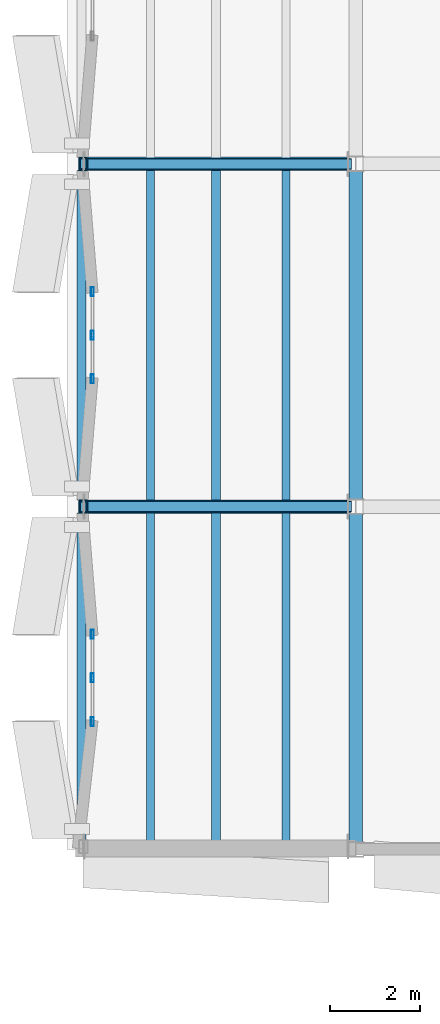
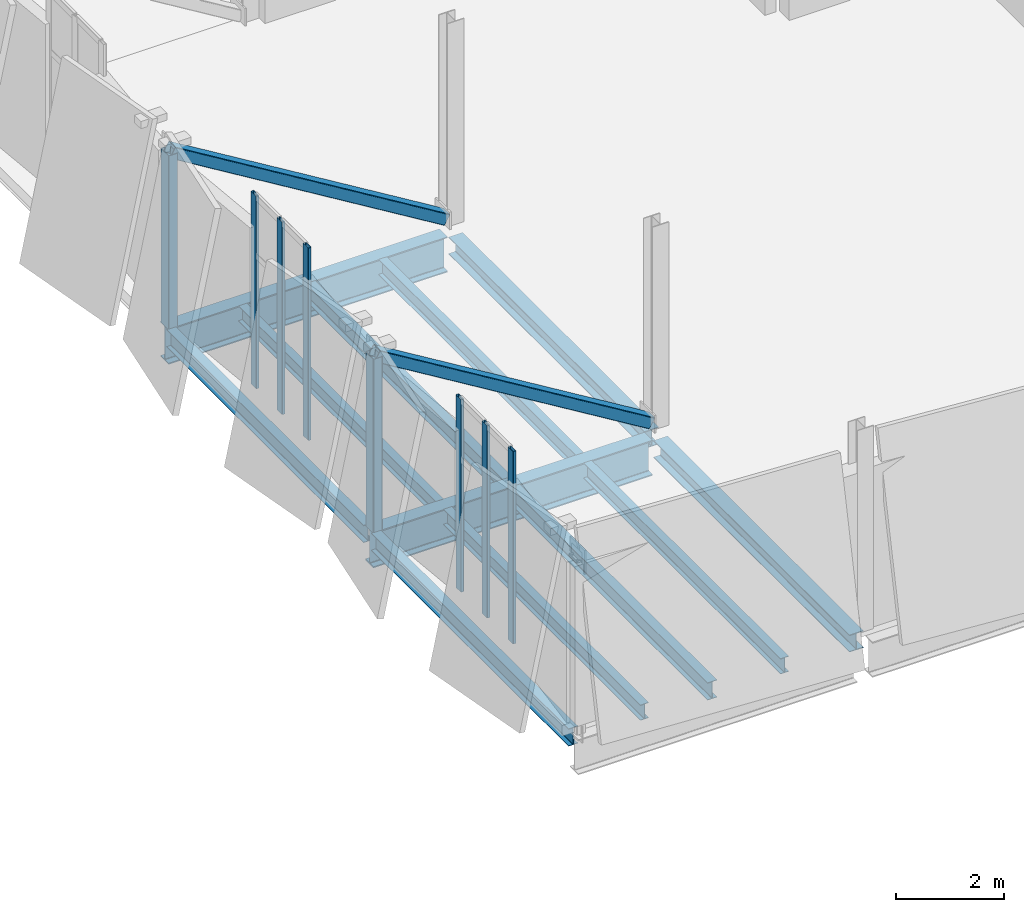
# One storey, part 9 of 74: 12 beams, 10 members, 2 elements without a shape of their own.
"""IFC4 building model written with IfcOpenShell, lengths in metres."""

import ifcopenshell
import ifcopenshell.guid

model = None  # the IFC model being written
_history = None  # IfcOwnerHistory: only IFC2X3 demands one
_inside = {}  # id of a spatial element -> (the spatial element, [elements in it])
_under = {}  # id of a project, library or spatial element -> (it, [spatial elements below it])
_declared = {}  # id of a project -> (the project, [libraries it declares])
_typed = {}  # id of a type object -> (the type object, [elements of that type])
_made_of = {}  # id of a material, layer set ... -> (it, [elements and type objects made of it])


def new_model(schema):
    """Start an empty IFC model of exactly this schema.

    Asked for "IFC4X3", IfcOpenShell would pick the latest addendum, in which some entities
    have other attributes; the version numbers below select the first issue.
    IFC2X3 requires an IfcOwnerHistory on every rooted entity: one is made here for all.
    """
    global model, _history
    if schema == "IFC4X3":
        model = ifcopenshell.file(schema_version=(4, 3, 0, 0))
    else:
        model = ifcopenshell.file(schema=schema)
    _inside.clear()
    _under.clear()
    _declared.clear()
    _typed.clear()
    _made_of.clear()
    _history = None
    if model.schema == "IFC2X3":
        org = make("IfcOrganization", Name="unknown")
        user = make(
            "IfcPersonAndOrganization",
            ThePerson=make("IfcPerson", FamilyName="unknown"),
            TheOrganization=org,
        )
        app = make(
            "IfcApplication",
            ApplicationDeveloper=org,
            Version="unknown",
            ApplicationFullName="unknown",
            ApplicationIdentifier="unknown",
        )
        _history = make(
            "IfcOwnerHistory",
            OwningUser=user,
            OwningApplication=app,
            ChangeAction="ADDED",
            CreationDate=0,
        )
    return model


def make(cls, **values):
    """One entity of the class cls with the attributes given. An attribute that is None is left unset."""
    return model.create_entity(
        cls, **{name: value for name, value in values.items() if value is not None}
    )


def rooted(cls, **values):
    """An entity with a GlobalId (a new one), such as an element, a storey or a relation."""
    return make(cls, GlobalId=ifcopenshell.guid.new(), OwnerHistory=_history, **values)


def si_unit(unit_type, name, prefix=None):
    """IfcSIUnit, for example si_unit("LENGTHUNIT", "METRE", prefix="MILLI")."""
    return make("IfcSIUnit", UnitType=unit_type, Prefix=prefix, Name=name)


def assignment(units):
    """IfcUnitAssignment: the units of a project."""
    return None if units is None else make("IfcUnitAssignment", Units=units)


def point(xyz):
    """IfcCartesianPoint."""
    return None if xyz is None else make("IfcCartesianPoint", Coordinates=xyz)


def direction(xyz):
    """IfcDirection."""
    return None if xyz is None else make("IfcDirection", DirectionRatios=xyz)


def frame(location, z_axis=None, x_axis=None):
    """IfcAxis2Placement3D, a coordinate frame: its origin and axes. An axis left out is left unset."""
    return make(
        "IfcAxis2Placement3D",
        Location=point(location),
        Axis=direction(z_axis),
        RefDirection=direction(x_axis),
    )


def frame_2d(location, x_axis=None):
    """IfcAxis2Placement2D, a coordinate frame in the plane: its origin and x axis."""
    return make(
        "IfcAxis2Placement2D", Location=point(location), RefDirection=direction(x_axis)
    )


def origin():
    """The frame at (0, 0, 0) with its axes left unset."""
    return frame((0.0, 0.0, 0.0))


def origin_2d():
    """The frame at (0, 0) in the plane with its x axis left unset."""
    return frame_2d((0.0, 0.0))


def place(relative_to, where):
    """IfcLocalPlacement: puts the frame where relative to a parent placement (None: the world)."""
    return make(
        "IfcLocalPlacement", PlacementRelTo=relative_to, RelativePlacement=where
    )


def context(
    kind, dimensions, precision=None, world=None, true_north=None, identifier=None
):
    """IfcGeometricRepresentationContext, for example the 3D "Model" context."""
    return make(
        "IfcGeometricRepresentationContext",
        ContextIdentifier=identifier,
        ContextType=kind,
        CoordinateSpaceDimension=dimensions,
        Precision=precision,
        WorldCoordinateSystem=world,
        TrueNorth=true_north,
    )


def subcontext(parent, identifier, kind, view, scale=None):
    """IfcGeometricRepresentationSubContext, for example "Body" below "Model"."""
    return make(
        "IfcGeometricRepresentationSubContext",
        ContextIdentifier=identifier,
        ContextType=kind,
        ParentContext=parent,
        TargetScale=scale,
        TargetView=view,
    )


def project(units=None, contexts=None):
    """IfcProject with its units and contexts."""
    return rooted(
        "IfcProject",
        Name="project",
        RepresentationContexts=contexts,
        UnitsInContext=assignment(units),
    )


def spatial(cls, under=None, at=None, **own):
    """A site, building, storey or space (cls), placed at a placement, below another one or the project."""
    s = rooted(cls, ObjectPlacement=at, **own)
    if under is not None:
        _under.setdefault(under.id(), (under, []))[1].append(s)
    return s


def profile(cls, at=None, kind="AREA", **sizes):
    """A parametric profile (cls). Its sizes go by their IFC names, for example OverallWidth=200.0."""
    return make(cls, ProfileType=kind, Position=at, **sizes)


def hollow_rectangle(**sizes):
    """IfcRectangleHollowProfileDef."""
    return profile("IfcRectangleHollowProfileDef", **sizes)


def i_section(**sizes):
    """IfcIShapeProfileDef."""
    return profile("IfcIShapeProfileDef", **sizes)


def extrude(swept, where, along, depth):
    """IfcExtrudedAreaSolid: the profile swept, set in the frame where, extruded along a direction by depth."""
    return make(
        "IfcExtrudedAreaSolid",
        SweptArea=swept,
        Position=where,
        ExtrudedDirection=direction(along),
        Depth=depth,
    )


def shape(context_of_items, identifier, shape_type, items):
    """IfcShapeRepresentation: the items that make up one representation, for example the "Body"."""
    return make(
        "IfcShapeRepresentation",
        ContextOfItems=context_of_items,
        RepresentationIdentifier=identifier,
        RepresentationType=shape_type,
        Items=items,
    )


def material(Name=None, Category=None):
    """IfcMaterial."""
    return make("IfcMaterial", Name=Name, Category=Category)


def material_profile(
    of_material, cross_section, Name=None, Category=None, Priority=None
):
    """IfcMaterialProfile: a cross section and its material."""
    return make(
        "IfcMaterialProfile",
        Name=Name,
        Material=of_material,
        Profile=cross_section,
        Priority=Priority,
        Category=Category,
    )


def profile_set(profiles, Name=None, composite=None):
    """IfcMaterialProfileSet."""
    return make(
        "IfcMaterialProfileSet",
        Name=Name,
        MaterialProfiles=profiles,
        CompositeProfile=composite,
    )


def made_of(thing, what):
    """Note that an element or type object is made of a material, layer set ...; save() writes the relation."""
    if what is not None:
        _made_of.setdefault(what.id(), (what, []))[1].append(thing)
    return thing


def type_object(cls, material=None, **own):
    """A type object (cls), such as IfcWallType, which elements share."""
    return made_of(rooted(cls, **own), material)


def element(
    cls,
    number,
    at=None,
    inside=None,
    cuts=None,
    type_object=None,
    material=None,
    context=None,
    identifier="Body",
    shape_type=None,
    held_by="IfcProductDefinitionShape",
    body=None,
    shapes=None,
    **own,
):
    """One element of the class cls, such as IfcWall. Its Tag is "e" and its number.

    at: its placement. inside: the storey or other place that contains it. cuts: it is an
    opening in that element (IfcRelVoidsElement). A single representation is given by context,
    identifier, shape_type and body (its items); several are given by shapes. held_by: the class
    of the entity that holds the representations. save() writes the other relations.
    """
    e = rooted(cls, Tag="e%d" % number, ObjectPlacement=at, **own)
    if body is not None:
        shapes = [shape(context, identifier, shape_type, body)]
    if shapes is not None:
        e.Representation = make(held_by, Representations=shapes)
    if inside is not None:
        _inside.setdefault(inside.id(), (inside, []))[1].append(e)
    if cuts is not None:
        rooted(
            "IfcRelVoidsElement", RelatingBuildingElement=cuts, RelatedOpeningElement=e
        )
    if type_object is not None:
        _typed.setdefault(type_object.id(), (type_object, []))[1].append(e)
    return made_of(e, material)


def aggregate(whole, parts):
    """IfcRelAggregates: a whole, such as a stair, and the parts it consists of."""
    return rooted("IfcRelAggregates", RelatingObject=whole, RelatedObjects=parts)


def save(model, path):
    """Write the relations noted so far, then the file.

    IfcRelAggregates (storeys below a building ...), IfcRelContainedInSpatialStructure (elements
    in a storey), IfcRelDefinesByType, IfcRelAssociatesMaterial and IfcRelDeclares: one each for
    every whole, place, type object, material and project.
    """
    for whole, parts in _under.values():
        aggregate(whole, parts)
    for where, things in _inside.values():
        rooted(
            "IfcRelContainedInSpatialStructure",
            RelatedElements=things,
            RelatingStructure=where,
        )
    for kind, things in _typed.values():
        rooted("IfcRelDefinesByType", RelatedObjects=things, RelatingType=kind)
    for what, things in _made_of.values():
        rooted("IfcRelAssociatesMaterial", RelatedObjects=things, RelatingMaterial=what)
    for by, libraries in _declared.values():
        rooted("IfcRelDeclares", RelatingContext=by, RelatedDefinitions=libraries)
    model.write(path)


model = new_model("IFC4")

# Units and contexts
model_context = context("Model", 3, precision=1e-05, world=origin(), true_north=direction((0.0, 1.0)))
body_context = subcontext(model_context, "Body", "Model", "MODEL_VIEW")
ifc_project = project(units=[si_unit("LENGTHUNIT", "METRE"), si_unit("AREAUNIT", "SQUARE_METRE"), si_unit("VOLUMEUNIT", "CUBIC_METRE"), si_unit("PLANEANGLEUNIT", "RADIAN"), si_unit("MASSUNIT", "GRAM", prefix="KILO")], contexts=[model_context])

# Site, building, storey
site_placement = place(None, origin())
site = spatial("IfcSite", under=ifc_project, at=site_placement, CompositionType="ELEMENT")
building_placement = place(site_placement, origin())
building = spatial("IfcBuilding", under=site, at=building_placement, Name="Shengluoqiao Park Theatre", CompositionType="ELEMENT")
storey_placement = place(building_placement, frame((0.0, 0.0, 14.60009765625)))
storey = spatial("IfcBuildingStorey", under=building, at=storey_placement, Name="L03", CompositionType="ELEMENT", Elevation=14.60009765625)

# Curtain wall, members
ifc_material_1 = material(Name="Aluminium 6063-T6", Category="aluminium")
curtain_wall_type = type_object("IfcCurtainWallType", Name="ENV-CW-STUDIO", PredefinedType="NOTDEFINED", material=ifc_material_1)
curtain_wall_1_placement = place(storey_placement, origin())
curtain_wall_1 = element("IfcCurtainWall", 1, at=curtain_wall_1_placement, inside=storey, type_object=curtain_wall_type, Name="L03 Curtain Wall CW-L03-SLIT-0244", PredefinedType="NOTDEFINED")
ifc_material_profile_1 = material_profile(ifc_material_1, hollow_rectangle(XDim=0.06494140625, YDim=0.199951171875, WallThickness=0.0048828125, InnerFilletRadius=0.0048828125, OuterFilletRadius=0.010009765625, at=origin_2d()), Name="ALU MULLION 200x65x5")
ifc_profile_set_1 = profile_set([ifc_material_profile_1], Name="Aluminium 6063-T6")
member_type_1 = type_object("IfcMemberType", Name="ENV-MUL-200", PredefinedType="MULLION", material=ifc_profile_set_1)
member_1_placement = place(storey_placement, frame((0.56005859375, 33.232421875, 0.0), z_axis=(0.0, 0.0, 1.0), x_axis=(-1.0, 0.0, 0.0)))
member_1 = element("IfcMember", 2, at=member_1_placement, type_object=member_type_1, Name="CW-02 mullion 1", PredefinedType="MULLION", context=body_context, shape_type="SweptSolid", body=[
    extrude(hollow_rectangle(XDim=0.06494140625, YDim=0.199951171875, WallThickness=0.0048828125, InnerFilletRadius=0.0048828125, OuterFilletRadius=0.010009765625, at=origin_2d()), origin(), (0.0, 0.0, 1.0), 4.35986328125),
])
member_2_placement = place(storey_placement, frame((0.56005859375, 34.199951171875, 0.0), z_axis=(0.0, 0.0, 1.0), x_axis=(-1.0, 0.0, 0.0)))
member_2 = element("IfcMember", 3, at=member_2_placement, type_object=member_type_1, Name="CW-02 mullion 2", PredefinedType="MULLION", context=body_context, shape_type="SweptSolid", body=[
    extrude(hollow_rectangle(XDim=0.06494140625, YDim=0.199951171875, WallThickness=0.0048828125, InnerFilletRadius=0.0048828125, OuterFilletRadius=0.010009765625, at=origin_2d()), origin(), (0.0, 0.0, 1.0), 4.35986328125),
])
member_3_placement = place(storey_placement, frame((0.56005859375, 35.16748046875, 0.0), z_axis=(0.0, 0.0, 1.0), x_axis=(-1.0, 0.0, 0.0)))
member_3 = element("IfcMember", 4, at=member_3_placement, type_object=member_type_1, Name="CW-02 mullion 3", PredefinedType="MULLION", context=body_context, shape_type="SweptSolid", body=[
    extrude(hollow_rectangle(XDim=0.06494140625, YDim=0.199951171875, WallThickness=0.0048828125, InnerFilletRadius=0.0048828125, OuterFilletRadius=0.010009765625, at=origin_2d()), origin(), (0.0, 0.0, 1.0), 4.35986328125),
])
aggregate(curtain_wall_1, [member_1, member_2, member_3])

curtain_wall_2_placement = place(storey_placement, origin())
curtain_wall_2 = element("IfcCurtainWall", 5, at=curtain_wall_2_placement, inside=storey, type_object=curtain_wall_type, Name="L03 Curtain Wall CW-L03-SLIT-0245", PredefinedType="NOTDEFINED")
member_4_placement = place(storey_placement, frame((0.56005859375, 40.83251953125, 0.0), z_axis=(0.0, 0.0, 1.0), x_axis=(-1.0, 0.0, 0.0)))
member_4 = element("IfcMember", 6, at=member_4_placement, type_object=member_type_1, Name="CW-02 mullion 1", PredefinedType="MULLION", context=body_context, shape_type="SweptSolid", body=[
    extrude(hollow_rectangle(XDim=0.06494140625, YDim=0.199951171875, WallThickness=0.0048828125, InnerFilletRadius=0.0048828125, OuterFilletRadius=0.010009765625, at=origin_2d()), origin(), (0.0, 0.0, 1.0), 4.35986328125),
])
member_5_placement = place(storey_placement, frame((0.56005859375, 41.800048828125, 0.0), z_axis=(0.0, 0.0, 1.0), x_axis=(-1.0, 0.0, 0.0)))
member_5 = element("IfcMember", 7, at=member_5_placement, type_object=member_type_1, Name="CW-02 mullion 2", PredefinedType="MULLION", context=body_context, shape_type="SweptSolid", body=[
    extrude(hollow_rectangle(XDim=0.06494140625, YDim=0.199951171875, WallThickness=0.0048828125, InnerFilletRadius=0.0048828125, OuterFilletRadius=0.010009765625, at=origin_2d()), origin(), (0.0, 0.0, 1.0), 4.35986328125),
])
member_6_placement = place(storey_placement, frame((0.56005859375, 42.767578125, 0.0), z_axis=(0.0, 0.0, 1.0), x_axis=(-1.0, 0.0, 0.0)))
member_6 = element("IfcMember", 8, at=member_6_placement, type_object=member_type_1, Name="CW-02 mullion 3", PredefinedType="MULLION", context=body_context, shape_type="SweptSolid", body=[
    extrude(hollow_rectangle(XDim=0.06494140625, YDim=0.199951171875, WallThickness=0.0048828125, InnerFilletRadius=0.0048828125, OuterFilletRadius=0.010009765625, at=origin_2d()), origin(), (0.0, 0.0, 1.0), 4.35986328125),
])
aggregate(curtain_wall_2, [member_4, member_5, member_6])

# Beams
ifc_material_2 = material(Name="Steel Q355", Category="steel")
ifc_material_profile_2 = material_profile(ifc_material_2, i_section(OverallWidth=0.300048828125, OverallDepth=0.389892578125, WebThickness=0.010009765625, FlangeThickness=0.01611328125, FilletRadius=0.01806640625, at=origin_2d()), Name="HM 390x300x10x16")
ifc_profile_set_2 = profile_set([ifc_material_profile_2], Name="Steel Q355")
beam_type_1 = type_object("IfcBeamType", Name="STR-BM-G-HM390", PredefinedType="BEAM", material=ifc_profile_set_2)
for number, where, z_axis, x_axis, name in (
    (9, (6.39990234375, 30.56591796875, -0.43505859375), (0.0, 1.0, 0.0), (-1.0, 0.0, 0.0), "L03 Transverse Girder 01290"),
    (10, (6.39990234375, 38.166015625, -0.43505859375), (0.0, 1.0, 0.0), (-1.0, 0.0, 0.0), "L03 Transverse Girder 01291"),
):
    element("IfcBeam", number, at=place(storey_placement, frame(where, z_axis=z_axis, x_axis=x_axis)), inside=storey, type_object=beam_type_1, Name=name, PredefinedType="BEAM", context=body_context, shape_type="SweptSolid", body=[
        extrude(i_section(OverallWidth=0.300048828125, OverallDepth=0.389892578125, WebThickness=0.010009765625, FlangeThickness=0.01611328125, FilletRadius=0.01806640625, at=origin_2d()), origin(), (0.0, 0.0, 1.0), 7.26806640625),
    ])
ifc_material_3 = material(Name="Steel Q390", Category="steel")
ifc_material_profile_3 = material_profile(ifc_material_3, i_section(OverallWidth=0.300048828125, OverallDepth=0.800048828125, WebThickness=0.013916015625, FlangeThickness=0.02587890625, FilletRadius=0.02587890625, at=origin_2d()), Name="HN 800x300x14x26")
ifc_profile_set_3 = profile_set([ifc_material_profile_3], Name="Steel Q390")
beam_type_2 = type_object("IfcBeamType", Name="STR-BM-G-HN800", PredefinedType="BEAM", material=ifc_profile_set_3)
for number, where, z_axis, x_axis, name in (
    (11, (0.260009765625, 38.0, -0.64013671875), (1.0, 0.0, 0.0), (0.0, 1.0, 0.0), "CT-V3-2 L03 Cantilever Overhang Chord"),
    (12, (0.260009765625, 45.60009765625, -0.64013671875), (1.0, 0.0, 0.0), (0.0, 1.0, 0.0), "CT-V3-3 L03 Cantilever Overhang Chord"),
):
    element("IfcBeam", number, at=place(storey_placement, frame(where, z_axis=z_axis, x_axis=x_axis)), inside=storey, type_object=beam_type_2, Name=name, PredefinedType="BEAM", context=body_context, shape_type="SweptSolid", body=[
        extrude(i_section(OverallWidth=0.300048828125, OverallDepth=0.800048828125, WebThickness=0.013916015625, FlangeThickness=0.02587890625, FilletRadius=0.02587890625, at=origin_2d()), origin(), (0.0, 0.0, 1.0), 5.97802734375),
    ])
ifc_material_profile_4 = material_profile(ifc_material_2, i_section(OverallWidth=0.175048828125, OverallDepth=0.35009765625, WebThickness=0.007080078125, FlangeThickness=0.010986328125, FilletRadius=0.013916015625, at=origin_2d()), Name="HN 350x175x7x11")
ifc_profile_set_4 = profile_set([ifc_material_profile_4], Name="Steel Q355")
beam_type_3 = type_object("IfcBeamType", Name="STR-BM-J-HN350", PredefinedType="JOIST", material=ifc_profile_set_4)
for number, where, z_axis, x_axis, name in (
    (13, (1.85009765625, 30.5439453125, -0.4150390625), (0.0, 1.0, 0.0), (-1.0, 0.0, 0.0), "V3 L03 Cantilever Joist 03-18"),
    (14, (1.85009765625, 38.14404296875, -0.4150390625), (0.0, 1.0, 0.0), (-1.0, 0.0, 0.0), "V3 L03 Cantilever Joist 00023"),
    (15, (4.85009765625, 30.5439453125, -0.4150390625), (0.0, 1.0, 0.0), (-1.0, 0.0, 0.0), "V3 L03 Cantilever Joist 00025"),
    (16, (4.85009765625, 38.14404296875, -0.4150390625), (0.0, 1.0, 0.0), (-1.0, 0.0, 0.0), "V3 L03 Cantilever Joist 00026"),
):
    element("IfcBeam", number, at=place(storey_placement, frame(where, z_axis=z_axis, x_axis=x_axis)), inside=storey, type_object=beam_type_3, Name=name, PredefinedType="JOIST", context=body_context, shape_type="SweptSolid", body=[
        extrude(i_section(OverallWidth=0.175048828125, OverallDepth=0.35009765625, WebThickness=0.007080078125, FlangeThickness=0.010986328125, FilletRadius=0.013916015625, at=origin_2d()), origin(), (0.0, 0.0, 1.0), 7.31201171875),
    ])
ifc_material_profile_5 = material_profile(ifc_material_2, i_section(OverallWidth=0.198974609375, OverallDepth=0.39599609375, WebThickness=0.007080078125, FlangeThickness=0.010986328125, FilletRadius=0.01611328125, at=origin_2d()), Name="HN 396x199x7x11")
ifc_profile_set_5 = profile_set([ifc_material_profile_5], Name="Steel Q355")
beam_type_4 = type_object("IfcBeamType", Name="STR-BM-SP-HN396", PredefinedType="SPANDREL", material=ifc_profile_set_5)
for number, where, z_axis, x_axis, name in (
    (17, (0.320068359375, 30.5439453125, -0.43798828125), (0.0, 1.0, 0.0), (-1.0, 0.0, 0.0), "V3 L03 Cantilever Spandrel L03-3"),
    (18, (0.320068359375, 38.14404296875, -0.43798828125), (0.0, 1.0, 0.0), (-1.0, 0.0, 0.0), "V3 L03 Cantilever Spandrel 00019"),
    (19, (3.300048828125, 30.5439453125, -0.43798828125), (0.0, 1.0, 0.0), (-1.0, 0.0, 0.0), "V3 L03 Cantilever Spandrel 03-33"),
    (20, (3.300048828125, 38.14404296875, -0.43798828125), (0.0, 1.0, 0.0), (-1.0, 0.0, 0.0), "V3 L03 Cantilever Spandrel 00021"),
):
    element("IfcBeam", number, at=place(storey_placement, frame(where, z_axis=z_axis, x_axis=x_axis)), inside=storey, type_object=beam_type_4, Name=name, PredefinedType="SPANDREL", context=body_context, shape_type="SweptSolid", body=[
        extrude(i_section(OverallWidth=0.198974609375, OverallDepth=0.39599609375, WebThickness=0.007080078125, FlangeThickness=0.010986328125, FilletRadius=0.01611328125, at=origin_2d()), origin(), (0.0, 0.0, 1.0), 7.31201171875),
    ])

# Members
ifc_material_profile_6 = material_profile(ifc_material_2, hollow_rectangle(XDim=0.25, YDim=0.25, WallThickness=0.011962890625, InnerFilletRadius=0.011962890625, OuterFilletRadius=0.02392578125, at=origin_2d()), Name="RHS 250x250x12")
ifc_profile_set_6 = profile_set([ifc_material_profile_6], Name="Steel Q355")
member_type_2 = type_object("IfcMemberType", Name="STR-MEM-BRR-250", PredefinedType="BRACE", material=ifc_profile_set_6)
for number, where, z_axis, x_axis, name in (
    (21, (6.240966796875, 38.0, 0.119873046875), (-0.854171164294, 0.0, 0.519991944254), (0.0, -1.0, 0.0), "CT-V3-2 L03 Cantilever Raking Strut"),
    (22, (6.240966796875, 45.60009765625, 0.119873046875), (-0.854171164294, 0.0, 0.519991944254), (0.0, -1.0, 0.0), "CT-V3-3 L03 Cantilever Raking Strut"),
):
    element("IfcMember", number, at=place(storey_placement, frame(where, z_axis=z_axis, x_axis=x_axis)), inside=storey, type_object=member_type_2, Name=name, PredefinedType="BRACE", context=body_context, shape_type="SweptSolid", body=[
        extrude(hollow_rectangle(XDim=0.25, YDim=0.25, WallThickness=0.011962890625, InnerFilletRadius=0.011962890625, OuterFilletRadius=0.02392578125, at=origin_2d()), origin(), (0.0, 0.0, 1.0), 6.884765625),
    ])
ifc_material_profile_7 = material_profile(ifc_material_3, hollow_rectangle(XDim=0.199951171875, YDim=0.300048828125, WallThickness=0.011962890625, InnerFilletRadius=0.011962890625, OuterFilletRadius=0.02392578125, at=origin_2d()), Name="RHS 300x200x12")
ifc_profile_set_7 = profile_set([ifc_material_profile_7], Name="Steel Q390")
member_type_3 = type_object("IfcMemberType", Name="STR-MEM-PTR-302", PredefinedType="POST", material=ifc_profile_set_7)
for number, where, z_axis, x_axis, name in (
    (23, (0.360107421875, 38.0, -0.260009765625), (0.0, 0.0, 1.0), (1.0, 0.0, 0.0), "CT-V3-2 L03 Cantilever Tip Post"),
    (24, (0.360107421875, 45.60009765625, -0.260009765625), (0.0, 0.0, 1.0), (1.0, 0.0, 0.0), "CT-V3-3 L03 Cantilever Tip Post"),
):
    element("IfcMember", number, at=place(storey_placement, frame(where, z_axis=z_axis, x_axis=x_axis)), inside=storey, type_object=member_type_3, Name=name, PredefinedType="POST", context=body_context, shape_type="SweptSolid", body=[
        extrude(hollow_rectangle(XDim=0.199951171875, YDim=0.300048828125, WallThickness=0.011962890625, InnerFilletRadius=0.011962890625, OuterFilletRadius=0.02392578125, at=origin_2d()), origin(), (0.0, 0.0, 1.0), 3.93994140625),
    ])

save(model, "model.ifc")
